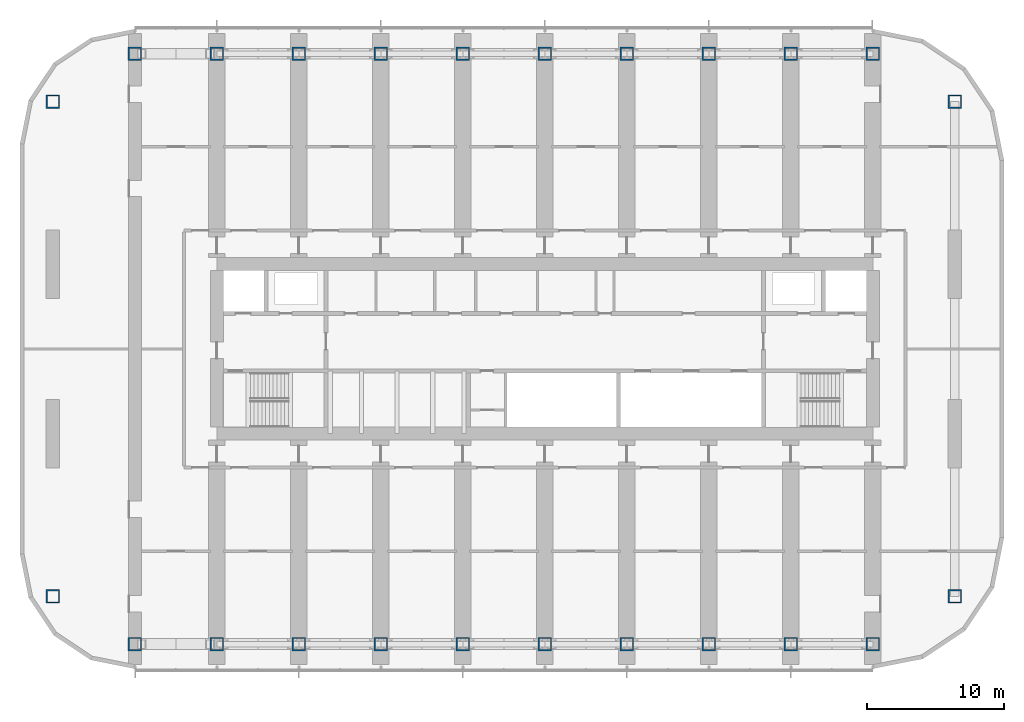
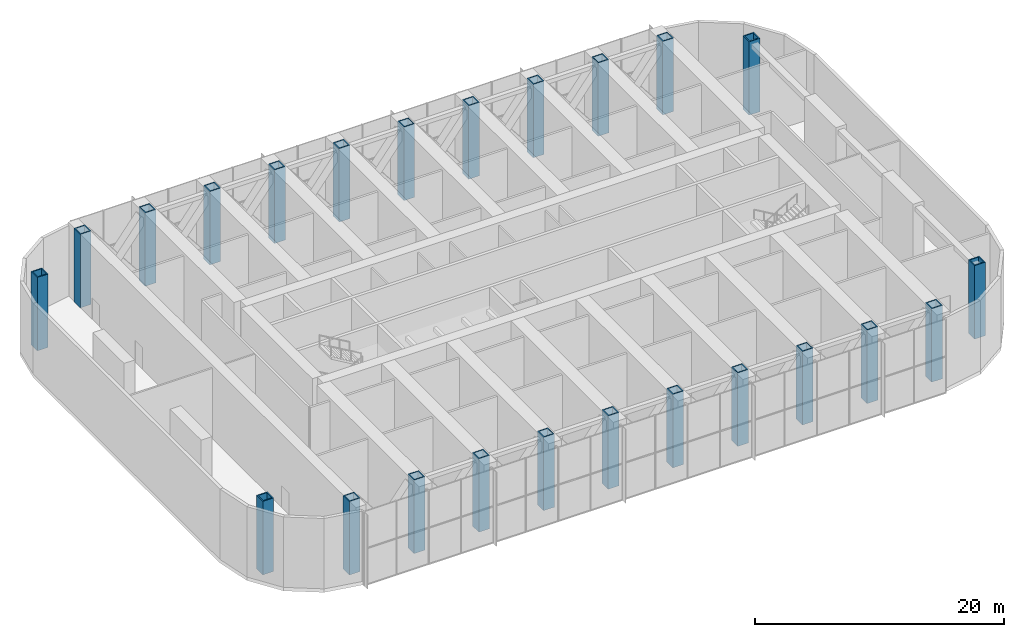
# One storey, part 1 of 22: 24 columns.
"""IFC4 building model written with IfcOpenShell, lengths in metres."""

from ifc_helpers import new_model, si_unit, direction, frame, origin, origin_2d, place, context, subcontext, project, spatial, hollow_rectangle, extrude, material, material_profile, profile_set, type_object, element, save


model = new_model("IFC4")

# Units and contexts
model_context = context("Model", 3, precision=1e-05, world=origin(), true_north=direction((0.0, 1.0)))
body_context = subcontext(model_context, "Body", "Model", "MODEL_VIEW")
ifc_project = project(units=[si_unit("LENGTHUNIT", "METRE"), si_unit("AREAUNIT", "SQUARE_METRE"), si_unit("VOLUMEUNIT", "CUBIC_METRE"), si_unit("PLANEANGLEUNIT", "RADIAN"), si_unit("MASSUNIT", "GRAM", prefix="KILO")], contexts=[model_context])

# Site, building, storey
site_placement = place(None, origin())
site = spatial("IfcSite", under=ifc_project, at=site_placement, CompositionType="ELEMENT")
building_placement = place(site_placement, origin())
building = spatial("IfcBuilding", under=site, at=building_placement, Name="Orbita Commons", CompositionType="ELEMENT")
storey_placement = place(building_placement, frame((0.0, 0.0, 133.14990234375)))
storey = spatial("IfcBuildingStorey", under=building, at=storey_placement, Name="L33", CompositionType="ELEMENT", Elevation=133.14990234375)

# Columns
ifc_material = material(Name="Steel ASTM A572 Gr 50 welded plate", Category="steel")
ifc_material_profile = material_profile(ifc_material, hollow_rectangle(XDim=1.0, YDim=1.0, WallThickness=0.10009765625, at=origin_2d()), Name="BOX 1000x1000x100")
ifc_profile_set = profile_set([ifc_material_profile], Name="Steel ASTM A572 Gr 50 welded plate")
column_type = type_object("IfcColumnType", Name="Steel column BOX 1000x1000x100", PredefinedType="COLUMN", material=ifc_profile_set)
for number, where, z_axis, x_axis, name in (
    (1, (12.0, 10.39990234375, 0.0), (0.0, 0.0, 1.0), (1.0, 0.0, 0.0), "Column 3/B L33"),
    (2, (12.0, 53.60009765625, 0.0), (0.0, 0.0, 1.0), (1.0, 0.0, 0.0), "Column 3/E L33"),
    (3, (18.0, 10.39990234375, 0.0), (0.0, 0.0, 1.0), (1.0, 0.0, 0.0), "Column 4/B L33"),
    (4, (18.0, 53.60009765625, 0.0), (0.0, 0.0, 1.0), (1.0, 0.0, 0.0), "Column 4/E L33"),
    (5, (24.0, 10.39990234375, 0.0), (0.0, 0.0, 1.0), (1.0, 0.0, 0.0), "Column 5/B L33"),
    (6, (24.0, 53.60009765625, 0.0), (0.0, 0.0, 1.0), (1.0, 0.0, 0.0), "Column 5/E L33"),
    (7, (30.0, 10.39990234375, 0.0), (0.0, 0.0, 1.0), (1.0, 0.0, 0.0), "Column 6/B L33"),
    (8, (30.0, 53.60009765625, 0.0), (0.0, 0.0, 1.0), (1.0, 0.0, 0.0), "Column 6/E L33"),
    (9, (36.0, 10.39990234375, 0.0), (0.0, 0.0, 1.0), (1.0, 0.0, 0.0), "Column 7/B L33"),
    (10, (36.0, 53.60009765625, 0.0), (0.0, 0.0, 1.0), (1.0, 0.0, 0.0), "Column 7/E L33"),
    (11, (42.0, 10.39990234375, 0.0), (0.0, 0.0, 1.0), (1.0, 0.0, 0.0), "Column 8/B L33"),
    (12, (42.0, 53.60009765625, 0.0), (0.0, 0.0, 1.0), (1.0, 0.0, 0.0), "Column 8/E L33"),
    (13, (48.0, 10.39990234375, 0.0), (0.0, 0.0, 1.0), (1.0, 0.0, 0.0), "Column 9/B L33"),
    (14, (48.0, 53.60009765625, 0.0), (0.0, 0.0, 1.0), (1.0, 0.0, 0.0), "Column 9/E L33"),
    (15, (54.0, 10.39990234375, 0.0), (0.0, 0.0, 1.0), (1.0, 0.0, 0.0), "Column 10/B L33"),
    (16, (54.0, 53.60009765625, 0.0), (0.0, 0.0, 1.0), (1.0, 0.0, 0.0), "Column 10/E L33"),
    (17, (60.0, 10.39990234375, 0.0), (0.0, 0.0, 1.0), (1.0, 0.0, 0.0), "Column 11/B L33"),
    (18, (60.0, 53.60009765625, 0.0), (0.0, 0.0, 1.0), (1.0, 0.0, 0.0), "Column 11/E L33"),
    (19, (66.0, 10.39990234375, 0.0), (0.0, 0.0, 1.0), (1.0, 0.0, 0.0), "Column 12/B L33"),
    (20, (66.0, 53.60009765625, 0.0), (0.0, 0.0, 1.0), (1.0, 0.0, 0.0), "Column 12/E L33"),
    (21, (6.0, 13.89990234375, 0.0), (0.0, 0.0, 1.0), (1.0, 0.0, 0.0), "Column 2/13.9 L33"),
    (22, (6.0, 50.10009765625, 0.0), (0.0, 0.0, 1.0), (1.0, 0.0, 0.0), "Column 2/50.1 L33"),
    (23, (72.0, 13.89990234375, 0.0), (0.0, 0.0, 1.0), (1.0, 0.0, 0.0), "Column 13/13.9 L33"),
    (24, (72.0, 50.10009765625, 0.0), (0.0, 0.0, 1.0), (1.0, 0.0, 0.0), "Column 13/50.1 L33"),
):
    element("IfcColumn", number, at=place(storey_placement, frame(where, z_axis=z_axis, x_axis=x_axis)), inside=storey, type_object=column_type, Name=name, PredefinedType="COLUMN", context=body_context, shape_type="SweptSolid", body=[
        extrude(hollow_rectangle(XDim=1.0, YDim=1.0, WallThickness=0.10009765625, at=origin_2d()), origin(), (0.0, 0.0, 1.0), 7.2001953125),
    ])

save(model, "model.ifc")
